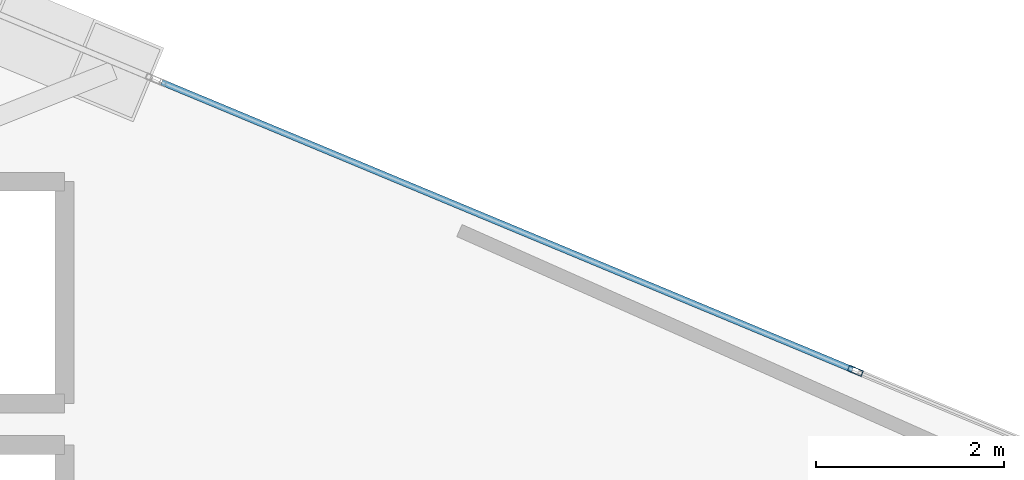
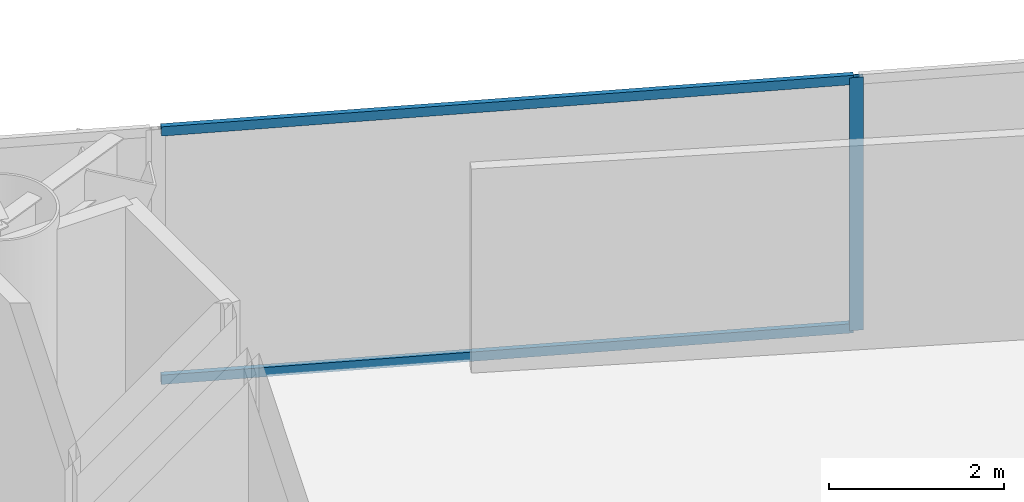
# One storey, part 14 of 22: 3 members, 1 element without a shape of its own.
"""IFC4 building model written with IfcOpenShell, lengths in metres."""

from ifc_helpers import new_model, si_unit, direction, frame, origin, origin_2d, place, context, subcontext, project, spatial, hollow_rectangle, extrude, material, layer, layer_set, material_profile, profile_set, type_object, element, aggregate, save


model = new_model("IFC4")

# Units and contexts
model_context = context("Model", 3, precision=1e-05, world=origin(), true_north=direction((0.0, 1.0)))
body_context = subcontext(model_context, "Body", "Model", "MODEL_VIEW")
ifc_project = project(units=[si_unit("LENGTHUNIT", "METRE"), si_unit("AREAUNIT", "SQUARE_METRE"), si_unit("VOLUMEUNIT", "CUBIC_METRE"), si_unit("PLANEANGLEUNIT", "RADIAN"), si_unit("MASSUNIT", "GRAM", prefix="KILO")], contexts=[model_context])

# Site, building, storey
site_placement = place(None, origin())
site = spatial("IfcSite", under=ifc_project, at=site_placement, CompositionType="ELEMENT")
building_placement = place(site_placement, origin())
building = spatial("IfcBuilding", under=site, at=building_placement, Name="Qianvela Tower", CompositionType="ELEMENT")
storey_placement = place(building_placement, frame((0.0, 0.0, 155.0)))
storey = spatial("IfcBuildingStorey", under=building, at=storey_placement, Name="L39", CompositionType="ELEMENT", Elevation=155.0)

# Curtain wall, members
ifc_material_1 = material(Name="Anodised Architectural Aluminium and Low-E Glass", Category="aluminium")
ifc_layer = layer(ifc_material_1, 0.169921875)
ifc_layer_set = layer_set([ifc_layer], Name="Anodised Architectural Aluminium and Low-E Glass")
curtain_wall_type = type_object("IfcCurtainWallType", Name="CW-COLIV-Z34", PredefinedType="USERDEFINED", material=ifc_layer_set)
curtain_wall_placement = place(storey_placement, origin())
curtain_wall = element("IfcCurtainWall", 1, at=curtain_wall_placement, inside=storey, type_object=curtain_wall_type, Name="L39 CW-COLIV-Z34 Curtain Wall 02A", ObjectType="CURTAIN_WALL_SYSTEM", PredefinedType="USERDEFINED")
ifc_material_2 = material(Name="Anodised Architectural Aluminium 6063-T6", Category="aluminium")
ifc_material_profile_1 = material_profile(ifc_material_2, hollow_rectangle(XDim=0.06494140625, YDim=0.159912109375, WallThickness=0.0048828125, at=origin_2d()), Name="ALU-MULL-65x160")
ifc_profile_set_1 = profile_set([ifc_material_profile_1], Name="Anodised Architectural Aluminium 6063-T6")
member_type_1 = type_object("IfcMemberType", Name="CW-COLIV-Z34-MULL", PredefinedType="MULLION", material=ifc_profile_set_1)
member_1_placement = place(storey_placement, frame((51.961669921875, 33.268798828125, 0.0), z_axis=(0.0, 0.0, 1.0), x_axis=(-0.384185162633, -0.923256064596, 0.0)))
member_1 = element("IfcMember", 2, at=member_1_placement, type_object=member_type_1, Name="CW-4 mullion 2", PredefinedType="MULLION", context=body_context, shape_type="SweptSolid", body=[
    extrude(hollow_rectangle(XDim=0.06494140625, YDim=0.159912109375, WallThickness=0.0048828125, at=origin_2d()), origin(), (0.0, 0.0, 1.0), 3.52001953125),
])
ifc_material_3 = material(Name="Anodised Architectural Aluminium 6063-T6", Category="aluminium")
ifc_material_profile_2 = material_profile(ifc_material_3, hollow_rectangle(XDim=0.06494140625, YDim=0.1298828125, WallThickness=0.00439453125, at=origin_2d()), Name="ALU-TRAN-65x130")
ifc_profile_set_2 = profile_set([ifc_material_profile_2], Name="Anodised Architectural Aluminium 6063-T6")
member_type_2 = type_object("IfcMemberType", Name="CW-COLIV-Z34-TRAN", PredefinedType="USERDEFINED", material=ifc_profile_set_2)
member_2_placement = place(storey_placement, frame((51.931640625, 33.28125, 0.032470703125), z_axis=(-0.923259266566, 0.384177467715, 0.0), x_axis=(-0.384177467715, -0.923259266566, 0.0)))
member_2 = element("IfcMember", 3, at=member_2_placement, type_object=member_type_2, Name="CW-4 transom 2.1", ObjectType="TRANSOM", PredefinedType="USERDEFINED", context=body_context, shape_type="SweptSolid", body=[
    extrude(hollow_rectangle(XDim=0.06494140625, YDim=0.1298828125, WallThickness=0.00439453125, at=origin_2d()), origin(), (0.0, 0.0, 1.0), 7.95751953125),
])
member_3_placement = place(storey_placement, frame((51.931640625, 33.28125, 3.487548828125), z_axis=(-0.923259266566, 0.384177467715, 0.0), x_axis=(-0.384177467715, -0.923259266566, 0.0)))
member_3 = element("IfcMember", 4, at=member_3_placement, type_object=member_type_2, Name="CW-4 transom 2.2", ObjectType="TRANSOM", PredefinedType="USERDEFINED", context=body_context, shape_type="SweptSolid", body=[
    extrude(hollow_rectangle(XDim=0.06494140625, YDim=0.1298828125, WallThickness=0.00439453125, at=origin_2d()), origin(), (0.0, 0.0, 1.0), 7.95751953125),
])
aggregate(curtain_wall, [member_1, member_2, member_3])

save(model, "model.ifc")
